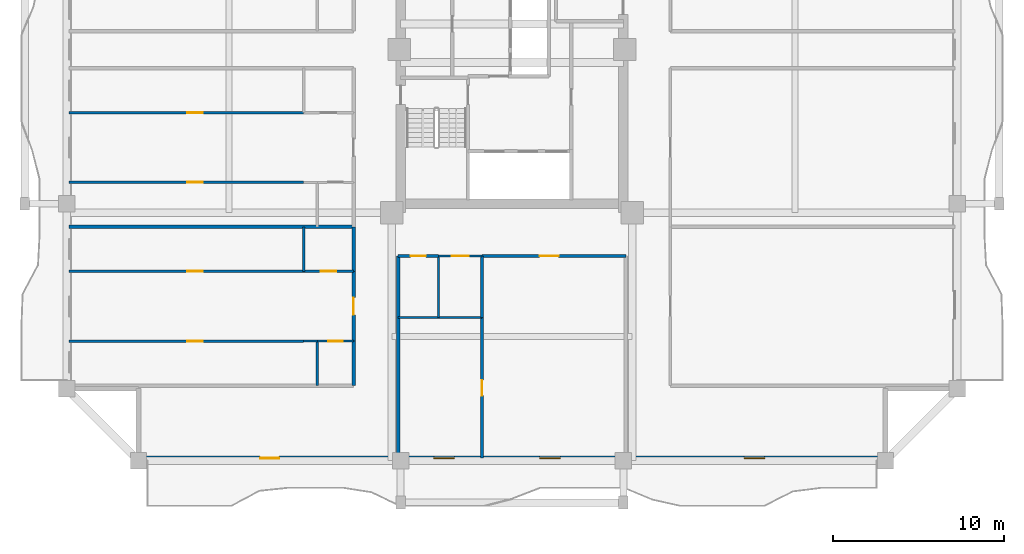
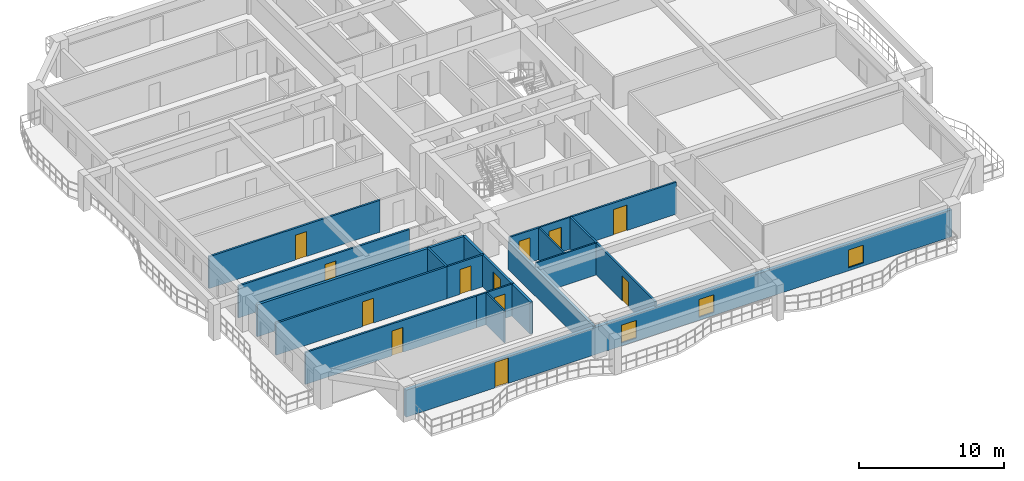
# One storey, part 2 of 11: 22 walls, 12 doors, 3 windows, 15 openings.
"""IFC4 building model written with IfcOpenShell, lengths in metres."""

import ifcopenshell
import ifcopenshell.guid

model = None  # the IFC model being written
_history = None  # IfcOwnerHistory: only IFC2X3 demands one
_inside = {}  # id of a spatial element -> (the spatial element, [elements in it])
_under = {}  # id of a project, library or spatial element -> (it, [spatial elements below it])
_declared = {}  # id of a project -> (the project, [libraries it declares])
_typed = {}  # id of a type object -> (the type object, [elements of that type])
_made_of = {}  # id of a material, layer set ... -> (it, [elements and type objects made of it])


def new_model(schema):
    """Start an empty IFC model of exactly this schema.

    Asked for "IFC4X3", IfcOpenShell would pick the latest addendum, in which some entities
    have other attributes; the version numbers below select the first issue.
    IFC2X3 requires an IfcOwnerHistory on every rooted entity: one is made here for all.
    """
    global model, _history
    if schema == "IFC4X3":
        model = ifcopenshell.file(schema_version=(4, 3, 0, 0))
    else:
        model = ifcopenshell.file(schema=schema)
    _inside.clear()
    _under.clear()
    _declared.clear()
    _typed.clear()
    _made_of.clear()
    _history = None
    if model.schema == "IFC2X3":
        org = make("IfcOrganization", Name="unknown")
        user = make(
            "IfcPersonAndOrganization",
            ThePerson=make("IfcPerson", FamilyName="unknown"),
            TheOrganization=org,
        )
        app = make(
            "IfcApplication",
            ApplicationDeveloper=org,
            Version="unknown",
            ApplicationFullName="unknown",
            ApplicationIdentifier="unknown",
        )
        _history = make(
            "IfcOwnerHistory",
            OwningUser=user,
            OwningApplication=app,
            ChangeAction="ADDED",
            CreationDate=0,
        )
    return model


def make(cls, **values):
    """One entity of the class cls with the attributes given. An attribute that is None is left unset."""
    return model.create_entity(
        cls, **{name: value for name, value in values.items() if value is not None}
    )


def rooted(cls, **values):
    """An entity with a GlobalId (a new one), such as an element, a storey or a relation."""
    return make(cls, GlobalId=ifcopenshell.guid.new(), OwnerHistory=_history, **values)


def si_unit(unit_type, name, prefix=None):
    """IfcSIUnit, for example si_unit("LENGTHUNIT", "METRE", prefix="MILLI")."""
    return make("IfcSIUnit", UnitType=unit_type, Prefix=prefix, Name=name)


def assignment(units):
    """IfcUnitAssignment: the units of a project."""
    return None if units is None else make("IfcUnitAssignment", Units=units)


def point(xyz):
    """IfcCartesianPoint."""
    return None if xyz is None else make("IfcCartesianPoint", Coordinates=xyz)


def direction(xyz):
    """IfcDirection."""
    return None if xyz is None else make("IfcDirection", DirectionRatios=xyz)


def frame(location, z_axis=None, x_axis=None):
    """IfcAxis2Placement3D, a coordinate frame: its origin and axes. An axis left out is left unset."""
    return make(
        "IfcAxis2Placement3D",
        Location=point(location),
        Axis=direction(z_axis),
        RefDirection=direction(x_axis),
    )


def frame_2d(location, x_axis=None):
    """IfcAxis2Placement2D, a coordinate frame in the plane: its origin and x axis."""
    return make(
        "IfcAxis2Placement2D", Location=point(location), RefDirection=direction(x_axis)
    )


def origin():
    """The frame at (0, 0, 0) with its axes left unset."""
    return frame((0.0, 0.0, 0.0))


def place(relative_to, where):
    """IfcLocalPlacement: puts the frame where relative to a parent placement (None: the world)."""
    return make(
        "IfcLocalPlacement", PlacementRelTo=relative_to, RelativePlacement=where
    )


def context(
    kind, dimensions, precision=None, world=None, true_north=None, identifier=None
):
    """IfcGeometricRepresentationContext, for example the 3D "Model" context."""
    return make(
        "IfcGeometricRepresentationContext",
        ContextIdentifier=identifier,
        ContextType=kind,
        CoordinateSpaceDimension=dimensions,
        Precision=precision,
        WorldCoordinateSystem=world,
        TrueNorth=true_north,
    )


def subcontext(parent, identifier, kind, view, scale=None):
    """IfcGeometricRepresentationSubContext, for example "Body" below "Model"."""
    return make(
        "IfcGeometricRepresentationSubContext",
        ContextIdentifier=identifier,
        ContextType=kind,
        ParentContext=parent,
        TargetScale=scale,
        TargetView=view,
    )


def project(units=None, contexts=None):
    """IfcProject with its units and contexts."""
    return rooted(
        "IfcProject",
        Name="project",
        RepresentationContexts=contexts,
        UnitsInContext=assignment(units),
    )


def spatial(cls, under=None, at=None, **own):
    """A site, building, storey or space (cls), placed at a placement, below another one or the project."""
    s = rooted(cls, ObjectPlacement=at, **own)
    if under is not None:
        _under.setdefault(under.id(), (under, []))[1].append(s)
    return s


def profile(cls, at=None, kind="AREA", **sizes):
    """A parametric profile (cls). Its sizes go by their IFC names, for example OverallWidth=200.0."""
    return make(cls, ProfileType=kind, Position=at, **sizes)


def rectangle(**sizes):
    """IfcRectangleProfileDef."""
    return profile("IfcRectangleProfileDef", **sizes)


def extrude(swept, where, along, depth):
    """IfcExtrudedAreaSolid: the profile swept, set in the frame where, extruded along a direction by depth."""
    return make(
        "IfcExtrudedAreaSolid",
        SweptArea=swept,
        Position=where,
        ExtrudedDirection=direction(along),
        Depth=depth,
    )


def shape(context_of_items, identifier, shape_type, items):
    """IfcShapeRepresentation: the items that make up one representation, for example the "Body"."""
    return make(
        "IfcShapeRepresentation",
        ContextOfItems=context_of_items,
        RepresentationIdentifier=identifier,
        RepresentationType=shape_type,
        Items=items,
    )


def source(mapping_origin, context_of_items, identifier, shape_type, items):
    """IfcRepresentationMap: a shape defined once, which mapped items show again and again."""
    return make(
        "IfcRepresentationMap",
        MappingOrigin=mapping_origin,
        MappedRepresentation=shape(context_of_items, identifier, shape_type, items),
    )


def transform(
    local_origin,
    x_axis=None,
    y_axis=None,
    z_axis=None,
    scale=None,
    scale2=None,
    scale3=None,
    uniform=True,
):
    """IfcCartesianTransformationOperator3D, or its non-uniform kind. x_axis, y_axis, z_axis: its Axis1, 2, 3."""
    if uniform:
        return make(
            "IfcCartesianTransformationOperator3D",
            Axis1=direction(x_axis),
            Axis2=direction(y_axis),
            LocalOrigin=point(local_origin),
            Scale=scale,
            Axis3=direction(z_axis),
        )
    return make(
        "IfcCartesianTransformationOperator3DnonUniform",
        Axis1=direction(x_axis),
        Axis2=direction(y_axis),
        LocalOrigin=point(local_origin),
        Scale=scale,
        Axis3=direction(z_axis),
        Scale2=scale2,
        Scale3=scale3,
    )


def mapped(mapping_source, mapping_target):
    """IfcMappedItem: shows the shape of a source again, moved by a transform."""
    return make(
        "IfcMappedItem", MappingSource=mapping_source, MappingTarget=mapping_target
    )


def material(Name=None, Category=None):
    """IfcMaterial."""
    return make("IfcMaterial", Name=Name, Category=Category)


def layer(
    of_material, thickness, ventilated=None, Name=None, Category=None, Priority=None
):
    """IfcMaterialLayer: one layer of a wall or slab, of a material (None: an air gap)."""
    return make(
        "IfcMaterialLayer",
        Material=of_material,
        LayerThickness=thickness,
        IsVentilated=ventilated,
        Name=Name,
        Category=Category,
        Priority=Priority,
    )


def layer_set(layers, Name=None):
    """IfcMaterialLayerSet."""
    return make("IfcMaterialLayerSet", MaterialLayers=layers, LayerSetName=Name)


def made_of(thing, what):
    """Note that an element or type object is made of a material, layer set ...; save() writes the relation."""
    if what is not None:
        _made_of.setdefault(what.id(), (what, []))[1].append(thing)
    return thing


def type_object(cls, material=None, **own):
    """A type object (cls), such as IfcWallType, which elements share."""
    return made_of(rooted(cls, **own), material)


def element(
    cls,
    number,
    at=None,
    inside=None,
    cuts=None,
    type_object=None,
    material=None,
    context=None,
    identifier="Body",
    shape_type=None,
    held_by="IfcProductDefinitionShape",
    body=None,
    shapes=None,
    **own,
):
    """One element of the class cls, such as IfcWall. Its Tag is "e" and its number.

    at: its placement. inside: the storey or other place that contains it. cuts: it is an
    opening in that element (IfcRelVoidsElement). A single representation is given by context,
    identifier, shape_type and body (its items); several are given by shapes. held_by: the class
    of the entity that holds the representations. save() writes the other relations.
    """
    e = rooted(cls, Tag="e%d" % number, ObjectPlacement=at, **own)
    if body is not None:
        shapes = [shape(context, identifier, shape_type, body)]
    if shapes is not None:
        e.Representation = make(held_by, Representations=shapes)
    if inside is not None:
        _inside.setdefault(inside.id(), (inside, []))[1].append(e)
    if cuts is not None:
        rooted(
            "IfcRelVoidsElement", RelatingBuildingElement=cuts, RelatedOpeningElement=e
        )
    if type_object is not None:
        _typed.setdefault(type_object.id(), (type_object, []))[1].append(e)
    return made_of(e, material)


def fill(opening, filler):
    """IfcRelFillsElement: the door or window that sits in an opening."""
    return rooted(
        "IfcRelFillsElement",
        RelatingOpeningElement=opening,
        RelatedBuildingElement=filler,
    )


def aggregate(whole, parts):
    """IfcRelAggregates: a whole, such as a stair, and the parts it consists of."""
    return rooted("IfcRelAggregates", RelatingObject=whole, RelatedObjects=parts)


def save(model, path):
    """Write the relations noted so far, then the file.

    IfcRelAggregates (storeys below a building ...), IfcRelContainedInSpatialStructure (elements
    in a storey), IfcRelDefinesByType, IfcRelAssociatesMaterial and IfcRelDeclares: one each for
    every whole, place, type object, material and project.
    """
    for whole, parts in _under.values():
        aggregate(whole, parts)
    for where, things in _inside.values():
        rooted(
            "IfcRelContainedInSpatialStructure",
            RelatedElements=things,
            RelatingStructure=where,
        )
    for kind, things in _typed.values():
        rooted("IfcRelDefinesByType", RelatedObjects=things, RelatingType=kind)
    for what, things in _made_of.values():
        rooted("IfcRelAssociatesMaterial", RelatedObjects=things, RelatingMaterial=what)
    for by, libraries in _declared.values():
        rooted("IfcRelDeclares", RelatingContext=by, RelatedDefinitions=libraries)
    model.write(path)


model = new_model("IFC4")

# Units and contexts
model_context = context("Model", 3, precision=1e-05, world=origin(), true_north=direction((0.0, 1.0)))
body_context = subcontext(model_context, "Body", "Model", "MODEL_VIEW")
ifc_project = project(units=[si_unit("LENGTHUNIT", "METRE"), si_unit("AREAUNIT", "SQUARE_METRE"), si_unit("VOLUMEUNIT", "CUBIC_METRE"), si_unit("PLANEANGLEUNIT", "RADIAN"), si_unit("MASSUNIT", "GRAM", prefix="KILO")], contexts=[model_context])

# Site, building, storey
site_placement = place(None, origin())
site = spatial("IfcSite", under=ifc_project, at=site_placement, CompositionType="ELEMENT")
building_placement = place(site_placement, origin())
building = spatial("IfcBuilding", under=site, at=building_placement, Name="Saelheon Loggia Tower", CompositionType="ELEMENT")
storey_placement = place(building_placement, frame((0.0, 0.0, 141.75)))
storey = spatial("IfcBuildingStorey", under=building, at=storey_placement, Name="L45", CompositionType="ELEMENT", Elevation=141.75)

# Wall, openings, windows, door
ifc_material_1 = material(Name="Architectural Precast Concrete C40/50", Category="concrete")
ifc_layer_1 = layer(ifc_material_1, 0.280029296875)
ifc_layer_set_1 = layer_set([ifc_layer_1], Name="Architectural Precast Concrete C40/50")
wall_type_1 = type_object("IfcWallType", Name="Wall_Ext_Loggia_280", PredefinedType="SOLIDWALL", material=ifc_layer_set_1)
wall_1_placement = place(storey_placement, frame((16.199951171875, 3.139892578125, 0.0), z_axis=(0.0, 0.0, 1.0), x_axis=(1.0, 0.0, 0.0)))
wall_1 = element("IfcWall", 1, at=wall_1_placement, inside=storey, type_object=wall_type_1, Name="L45 South Loggia Inner Wall", PredefinedType="SOLIDWALL", context=body_context, shape_type="SweptSolid", body=[
    extrude(rectangle(XDim=43.60009765625, YDim=0.280029296875, at=frame_2d((21.800048828125, 0.0))), origin(), (0.0, 0.0, 1.0), 2.280029296875),
])
opening_1_placement = place(wall_1_placement, frame((8.2001953125, 0.0, 0.0), z_axis=(0.0, 0.0, 1.0), x_axis=(-1.0, 0.0, 0.0)))
opening_1 = element("IfcOpeningElement", 2, at=opening_1_placement, cuts=wall_1, Name="Opening TD1", PredefinedType="OPENING", context=body_context, shape_type="SweptSolid", body=[
    extrude(rectangle(XDim=1.10009765625, YDim=2.14990234375, at=frame_2d((0.550048828125, 1.074951171875))), frame((0.0, 0.152099609375, 0.0), z_axis=(0.0, -1.0, 0.0), x_axis=(1.0, 0.0, 0.0)), (0.0, 0.0, 1.0), 0.303955078125),
])
opening_2_placement = place(wall_1_placement, frame((17.232421875, 0.0, 0.25)))
opening_2 = element("IfcOpeningElement", 3, at=opening_2_placement, cuts=wall_1, Name="Opening WN-03", PredefinedType="OPENING", context=body_context, shape_type="SweptSolid", body=[
    extrude(rectangle(XDim=1.199951171875, YDim=1.5, at=frame_2d((0.60009765625, 0.75))), frame((0.0, 0.152099609375, 0.0), z_axis=(0.0, -1.0, 0.0), x_axis=(1.0, 0.0, 0.0)), (0.0, 0.0, 1.0), 0.303955078125),
])
opening_3_placement = place(wall_1_placement, frame((23.41748046875, 0.0, 0.25)))
opening_3 = element("IfcOpeningElement", 4, at=opening_3_placement, cuts=wall_1, Name="Opening WN-03", PredefinedType="OPENING", context=body_context, shape_type="SweptSolid", body=[
    extrude(rectangle(XDim=1.199951171875, YDim=1.5, at=frame_2d((0.60009765625, 0.75))), frame((0.0, 0.152099609375, 0.0), z_axis=(0.0, -1.0, 0.0), x_axis=(1.0, 0.0, 0.0)), (0.0, 0.0, 1.0), 0.303955078125),
])
opening_4_placement = place(wall_1_placement, frame((35.35009765625, 0.0, 0.25)))
opening_4 = element("IfcOpeningElement", 5, at=opening_4_placement, cuts=wall_1, Name="Opening WN-03", PredefinedType="OPENING", context=body_context, shape_type="SweptSolid", body=[
    extrude(rectangle(XDim=1.199951171875, YDim=1.5, at=frame_2d((0.60009765625, 0.75))), frame((0.0, 0.152099609375, 0.0), z_axis=(0.0, -1.0, 0.0), x_axis=(1.0, 0.0, 0.0)), (0.0, 0.0, 1.0), 0.303955078125),
])
ifc_material_2 = material(Name="Thermal-Break Aluminium and Triple Low-E Glass", Category="aluminium")
window_type = type_object("IfcWindowType", Name="Win_Bedroom_1200x1500", PartitioningType="SINGLE_PANEL", PredefinedType="WINDOW", material=ifc_material_2)
shared_shape_1 = source(origin(), body_context, "Body", "SweptSolid", [
    extrude(rectangle(XDim=1.199951171875, YDim=1.5, at=frame_2d((0.60009765625, 0.75))), frame((0.0, 0.030029296875, 0.0), z_axis=(0.0, -1.0, 0.0), x_axis=(1.0, 0.0, 0.0)), (0.0, 0.0, 1.0), 0.06005859375),
])
window_1_placement = place(opening_2_placement, origin())
window_1 = element("IfcWindow", 6, at=window_1_placement, inside=storey, type_object=window_type, Name="L45 S Dwelling Window 2", OverallHeight=1.5, OverallWidth=1.199951171875, PartitioningType="SINGLE_PANEL", PredefinedType="WINDOW", context=body_context, shape_type="MappedRepresentation", body=[
    mapped(shared_shape_1, transform((0.0, 0.0, 0.0), scale=1.0)),
])
fill(opening_2, window_1)
window_2_placement = place(opening_3_placement, origin())
window_2 = element("IfcWindow", 7, at=window_2_placement, inside=storey, type_object=window_type, Name="L45 S Dwelling Window 3", OverallHeight=1.5, OverallWidth=1.199951171875, PartitioningType="SINGLE_PANEL", PredefinedType="WINDOW", context=body_context, shape_type="MappedRepresentation", body=[
    mapped(shared_shape_1, transform((0.0, 0.0, 0.0), scale=1.0)),
])
fill(opening_3, window_2)
window_3_placement = place(opening_4_placement, origin())
window_3 = element("IfcWindow", 8, at=window_3_placement, inside=storey, type_object=window_type, Name="L45 S Dwelling Window 4", OverallHeight=1.5, OverallWidth=1.199951171875, PartitioningType="SINGLE_PANEL", PredefinedType="WINDOW", context=body_context, shape_type="MappedRepresentation", body=[
    mapped(shared_shape_1, transform((0.0, 0.0, 0.0), scale=1.0)),
])
fill(opening_4, window_3)
ifc_material_3 = material(Name="Thermal-Break Aluminium Glazed Door", Category="aluminium")
door_type_1 = type_object("IfcDoorType", Name="Door_Terrace_TD1", OperationType="NOTDEFINED", PredefinedType="DOOR", material=ifc_material_3)
shared_shape_2 = source(origin(), body_context, "Body", "SweptSolid", [
    extrude(rectangle(XDim=1.10009765625, YDim=2.14990234375, at=frame_2d((0.550048828125, 1.074951171875))), frame((0.0, 0.02490234375, 0.0), z_axis=(0.0, -1.0, 0.0), x_axis=(1.0, 0.0, 0.0)), (0.0, 0.0, 1.0), 0.050048828125),
])
door_1_placement = place(opening_1_placement, origin())
door_1 = element("IfcDoor", 9, at=door_1_placement, inside=storey, type_object=door_type_1, Name="L45 S Loggia Access Door", OperationType="SINGLE_SWING_LEFT", OverallHeight=2.14990234375, OverallWidth=1.10009765625, PredefinedType="DOOR", context=body_context, shape_type="MappedRepresentation", body=[
    mapped(shared_shape_2, transform((0.0, 0.0, 0.0), scale=1.0)),
])
fill(opening_1, door_1)

# Wall
ifc_material_4 = material(Name="Lightweight Autoclaved Aerated Concrete Block and Acoustic Gypsum", Category="concrete")
ifc_layer_2 = layer(ifc_material_4, 0.14990234375)
ifc_layer_set_2 = layer_set([ifc_layer_2], Name="Lightweight Autoclaved Aerated Concrete Block and Acoustic Gypsum")
wall_type_2 = type_object("IfcWallType", Name="Wall_Part_150", PredefinedType="PARTITIONING", material=ifc_layer_set_2)
wall_2_placement = place(storey_placement, frame((36.25, 14.949951171875, 0.0), z_axis=(0.0, 0.0, 1.0), x_axis=(0.0, -1.0, 0.0)))
element("IfcWall", 10, at=wall_2_placement, inside=storey, type_object=wall_type_2, Name="L45 S Partition U04", PredefinedType="PARTITIONING", context=body_context, shape_type="SweptSolid", body=[
    extrude(rectangle(XDim=3.599853515625, YDim=0.14990234375, at=frame_2d((1.7998046875, 0.0))), origin(), (0.0, 0.0, 1.0), 2.699951171875),
])

# Wall, opening, door
wall_3_placement = place(storey_placement, frame((36.25, 11.35009765625, 0.0), z_axis=(0.0, 0.0, 1.0), x_axis=(0.0, -1.0, 0.0)))
wall_3 = element("IfcWall", 11, at=wall_3_placement, inside=storey, type_object=wall_type_2, Name="L45 S Partition U05", PredefinedType="PARTITIONING", context=body_context, shape_type="SweptSolid", body=[
    extrude(rectangle(XDim=8.2001953125, YDim=0.14990234375, at=frame_2d((4.10009765625, 0.0))), origin(), (0.0, 0.0, 1.0), 2.699951171875),
])
opening_5_placement = place(wall_3_placement, frame((3.64990234375, 0.0, 0.0)))
opening_5 = element("IfcOpeningElement", 12, at=opening_5_placement, cuts=wall_3, Name="Opening D-IN2", PredefinedType="OPENING", context=body_context, shape_type="SweptSolid", body=[
    extrude(rectangle(XDim=0.89990234375, YDim=2.10009765625, at=frame_2d((0.449951171875, 1.050048828125))), frame((0.0, 0.0869140625, 0.0), z_axis=(0.0, -1.0, 0.0), x_axis=(1.0, 0.0, 0.0)), (0.0, 0.0, 1.0), 0.173828125),
])
ifc_material_5 = material(Name="Engineered Oak Flush Door", Category="timber")
door_type_2 = type_object("IfcDoorType", Name="Door_Int_900", OperationType="NOTDEFINED", PredefinedType="DOOR", material=ifc_material_5)
shared_shape_3 = source(origin(), body_context, "Body", "SweptSolid", [
    extrude(rectangle(XDim=0.89990234375, YDim=2.10009765625, at=frame_2d((0.449951171875, 1.050048828125))), frame((0.0, 0.02490234375, 0.0), z_axis=(0.0, -1.0, 0.0), x_axis=(1.0, 0.0, 0.0)), (0.0, 0.0, 1.0), 0.050048828125),
])
door_2_placement = place(opening_5_placement, origin())
door_2 = element("IfcDoor", 13, at=door_2_placement, inside=storey, type_object=door_type_2, Name="L45 Reading Alcove Door", OperationType="SINGLE_SWING_LEFT", OverallHeight=2.10009765625, OverallWidth=0.89990234375, PredefinedType="DOOR", context=body_context, shape_type="MappedRepresentation", body=[
    mapped(shared_shape_3, transform((0.0, 0.0, 0.0), scale=1.0)),
])
fill(opening_5, door_2)

wall_4_placement = place(storey_placement, frame((31.35009765625, 14.949951171875, 0.0), z_axis=(0.0, 0.0, 1.0), x_axis=(1.0, 0.0, 0.0)))
wall_4 = element("IfcWall", 14, at=wall_4_placement, inside=storey, type_object=wall_type_2, Name="L45 S Partition V07", PredefinedType="PARTITIONING", context=body_context, shape_type="SweptSolid", body=[
    extrude(rectangle(XDim=2.349853515625, YDim=0.14990234375, at=frame_2d((1.1748046875, 0.0))), origin(), (0.0, 0.0, 1.0), 2.699951171875),
])
opening_6_placement = place(wall_4_placement, frame((0.72509765625, 0.0, 0.0)))
opening_6 = element("IfcOpeningElement", 15, at=opening_6_placement, cuts=wall_4, Name="Opening D-IN2", PredefinedType="OPENING", context=body_context, shape_type="SweptSolid", body=[
    extrude(rectangle(XDim=0.89990234375, YDim=2.10009765625, at=frame_2d((0.449951171875, 1.050048828125))), frame((0.0, 0.0869140625, 0.0), z_axis=(0.0, -1.0, 0.0), x_axis=(1.0, 0.0, 0.0)), (0.0, 0.0, 1.0), 0.173828125),
])
door_3_placement = place(opening_6_placement, origin())
door_3 = element("IfcDoor", 16, at=door_3_placement, inside=storey, type_object=door_type_2, Name="L45 Community Pantry Door", OperationType="SINGLE_SWING_RIGHT", OverallHeight=2.10009765625, OverallWidth=0.89990234375, PredefinedType="DOOR", context=body_context, shape_type="MappedRepresentation", body=[
    mapped(shared_shape_3, transform((0.0, 0.0, 0.0), scale=1.0)),
])
fill(opening_6, door_3)

wall_5_placement = place(storey_placement, frame((36.25, 14.949951171875, 0.0), z_axis=(0.0, 0.0, 1.0), x_axis=(1.0, 0.0, 0.0)))
wall_5 = element("IfcWall", 17, at=wall_5_placement, inside=storey, type_object=wall_type_2, Name="L45 S Partition V09", PredefinedType="PARTITIONING", context=body_context, shape_type="SweptSolid", body=[
    extrude(rectangle(XDim=8.39990234375, YDim=0.14990234375, at=frame_2d((4.199951171875, 0.0))), origin(), (0.0, 0.0, 1.0), 2.699951171875),
])
opening_7_placement = place(wall_5_placement, frame((3.367431640625, 0.0, 0.0)))
opening_7 = element("IfcOpeningElement", 18, at=opening_7_placement, cuts=wall_5, Name="Opening D-FD2", PredefinedType="OPENING", context=body_context, shape_type="SweptSolid", body=[
    extrude(rectangle(XDim=1.10009765625, YDim=2.14990234375, at=frame_2d((0.550048828125, 1.074951171875))), frame((0.0, 0.0869140625, 0.0), z_axis=(0.0, -1.0, 0.0), x_axis=(1.0, 0.0, 0.0)), (0.0, 0.0, 1.0), 0.173828125),
])
ifc_material_6 = material(Name="Galvanised Steel Fire Door", Category="steel")
door_type_3 = type_object("IfcDoorType", Name="Door_Fire_FD60_1100", OperationType="NOTDEFINED", PredefinedType="DOOR", material=ifc_material_6)
door_4_placement = place(opening_7_placement, origin())
door_4 = element("IfcDoor", 19, at=door_4_placement, inside=storey, type_object=door_type_3, Name="L45 Resident Fitness Gymnasium Door A", OperationType="SINGLE_SWING_RIGHT", OverallHeight=2.14990234375, OverallWidth=1.10009765625, PredefinedType="DOOR", context=body_context, shape_type="MappedRepresentation", body=[
    mapped(shared_shape_2, transform((0.0, 0.0, 0.0), scale=1.0)),
])
fill(opening_7, door_4)

# Wall
wall_6_placement = place(storey_placement, frame((25.830078125, 14.050048828125, 0.0), z_axis=(0.0, 0.0, 1.0), x_axis=(0.0, 1.0, 0.0)))
element("IfcWall", 20, at=wall_6_placement, inside=storey, type_object=wall_type_2, Name="L45 WS Partition V07", PredefinedType="PARTITIONING", context=body_context, shape_type="SweptSolid", body=[
    extrude(rectangle(XDim=2.599853515625, YDim=0.14990234375, at=frame_2d((1.2998046875, 0.0))), origin(), (0.0, 0.0, 1.0), 2.699951171875),
])

# Wall, opening, door
wall_7_placement = place(storey_placement, frame((25.830078125, 9.9755859375, 0.0), z_axis=(0.0, 0.0, 1.0), x_axis=(-1.0, 0.0, 0.0)))
wall_7 = element("IfcWall", 21, at=wall_7_placement, inside=storey, type_object=wall_type_2, Name="L45 WS Partition U10", PredefinedType="PARTITIONING", context=body_context, shape_type="SweptSolid", body=[
    extrude(rectangle(XDim=13.68017578125, YDim=0.14990234375, at=frame_2d((6.840087890625, 0.0))), origin(), (0.0, 0.0, 1.0), 2.699951171875),
])
opening_8_placement = place(wall_7_placement, frame((5.87744140625, 0.0, 0.0)))
opening_8 = element("IfcOpeningElement", 22, at=opening_8_placement, cuts=wall_7, Name="Opening D-IN2", PredefinedType="OPENING", context=body_context, shape_type="SweptSolid", body=[
    extrude(rectangle(XDim=0.89990234375, YDim=2.10009765625, at=frame_2d((0.449951171875, 1.050048828125))), frame((0.0, 0.0869140625, 0.0), z_axis=(0.0, -1.0, 0.0), x_axis=(1.0, 0.0, 0.0)), (0.0, 0.0, 1.0), 0.173828125),
])
door_5_placement = place(opening_8_placement, origin())
door_5 = element("IfcDoor", 23, at=door_5_placement, inside=storey, type_object=door_type_2, Name="Unit U02 Kitchen Door", OperationType="SINGLE_SWING_RIGHT", OverallHeight=2.10009765625, OverallWidth=0.89990234375, PredefinedType="DOOR", context=body_context, shape_type="MappedRepresentation", body=[
    mapped(shared_shape_3, transform((0.0, 0.0, 0.0), scale=1.0)),
])
fill(opening_8, door_5)

wall_8_placement = place(storey_placement, frame((28.75, 14.050048828125, 0.0), z_axis=(0.0, 0.0, 1.0), x_axis=(-1.0, 0.0, 0.0)))
wall_8 = element("IfcWall", 24, at=wall_8_placement, inside=storey, type_object=wall_type_2, Name="L45 WS Partition U11", PredefinedType="PARTITIONING", context=body_context, shape_type="SweptSolid", body=[
    extrude(rectangle(XDim=2.919921875, YDim=0.14990234375, at=frame_2d((1.4599609375, 0.0))), origin(), (0.0, 0.0, 1.0), 2.699951171875),
])
opening_9_placement = place(wall_8_placement, frame((1.010009765625, 0.0, 0.0)))
opening_9 = element("IfcOpeningElement", 25, at=opening_9_placement, cuts=wall_8, Name="Opening D-IN2", PredefinedType="OPENING", context=body_context, shape_type="SweptSolid", body=[
    extrude(rectangle(XDim=0.89990234375, YDim=2.10009765625, at=frame_2d((0.449951171875, 1.050048828125))), frame((0.0, 0.0869140625, 0.0), z_axis=(0.0, -1.0, 0.0), x_axis=(1.0, 0.0, 0.0)), (0.0, 0.0, 1.0), 0.173828125),
])
door_6_placement = place(opening_9_placement, origin())
door_6 = element("IfcDoor", 26, at=door_6_placement, inside=storey, type_object=door_type_2, Name="Unit U02 Dressing Closet Door", OperationType="SINGLE_SWING_LEFT", OverallHeight=2.10009765625, OverallWidth=0.89990234375, PredefinedType="DOOR", context=body_context, shape_type="MappedRepresentation", body=[
    mapped(shared_shape_3, transform((0.0, 0.0, 0.0), scale=1.0)),
])
fill(opening_9, door_6)

wall_9_placement = place(storey_placement, frame((25.830078125, 14.050048828125, 0.0), z_axis=(0.0, 0.0, 1.0), x_axis=(-1.0, 0.0, 0.0)))
wall_9 = element("IfcWall", 27, at=wall_9_placement, inside=storey, type_object=wall_type_2, Name="L45 WS Partition U12", PredefinedType="PARTITIONING", context=body_context, shape_type="SweptSolid", body=[
    extrude(rectangle(XDim=13.68017578125, YDim=0.14990234375, at=frame_2d((6.840087890625, 0.0))), origin(), (0.0, 0.0, 1.0), 2.699951171875),
])
opening_10_placement = place(wall_9_placement, frame((5.87744140625, 0.0, 0.0)))
opening_10 = element("IfcOpeningElement", 28, at=opening_10_placement, cuts=wall_9, Name="Opening D-IN2", PredefinedType="OPENING", context=body_context, shape_type="SweptSolid", body=[
    extrude(rectangle(XDim=0.89990234375, YDim=2.10009765625, at=frame_2d((0.449951171875, 1.050048828125))), frame((0.0, 0.0869140625, 0.0), z_axis=(0.0, -1.0, 0.0), x_axis=(1.0, 0.0, 0.0)), (0.0, 0.0, 1.0), 0.173828125),
])
door_7_placement = place(opening_10_placement, origin())
door_7 = element("IfcDoor", 29, at=door_7_placement, inside=storey, type_object=door_type_2, Name="Unit U02 Bedroom 1 Door", OperationType="SINGLE_SWING_RIGHT", OverallHeight=2.10009765625, OverallWidth=0.89990234375, PredefinedType="DOOR", context=body_context, shape_type="MappedRepresentation", body=[
    mapped(shared_shape_3, transform((0.0, 0.0, 0.0), scale=1.0)),
])
fill(opening_10, door_7)

wall_10_placement = place(storey_placement, frame((25.830078125, 19.24560546875, 0.0), z_axis=(0.0, 0.0, 1.0), x_axis=(-1.0, 0.0, 0.0)))
wall_10 = element("IfcWall", 30, at=wall_10_placement, inside=storey, type_object=wall_type_2, Name="L45 WS Partition U21", PredefinedType="PARTITIONING", context=body_context, shape_type="SweptSolid", body=[
    extrude(rectangle(XDim=13.68017578125, YDim=0.14990234375, at=frame_2d((6.840087890625, 0.0))), origin(), (0.0, 0.0, 1.0), 2.699951171875),
])
opening_11_placement = place(wall_10_placement, frame((5.87744140625, 0.0, 0.0)))
opening_11 = element("IfcOpeningElement", 31, at=opening_11_placement, cuts=wall_10, Name="Opening D-IN2", PredefinedType="OPENING", context=body_context, shape_type="SweptSolid", body=[
    extrude(rectangle(XDim=0.89990234375, YDim=2.10009765625, at=frame_2d((0.449951171875, 1.050048828125))), frame((0.0, 0.0869140625, 0.0), z_axis=(0.0, -1.0, 0.0), x_axis=(1.0, 0.0, 0.0)), (0.0, 0.0, 1.0), 0.173828125),
])
door_8_placement = place(opening_11_placement, origin())
door_8 = element("IfcDoor", 32, at=door_8_placement, inside=storey, type_object=door_type_2, Name="Unit U03 Kitchen Door", OperationType="SINGLE_SWING_LEFT", OverallHeight=2.10009765625, OverallWidth=0.89990234375, PredefinedType="DOOR", context=body_context, shape_type="MappedRepresentation", body=[
    mapped(shared_shape_3, transform((0.0, 0.0, 0.0), scale=1.0)),
])
fill(opening_11, door_8)

wall_11_placement = place(storey_placement, frame((25.830078125, 23.320068359375, 0.0), z_axis=(0.0, 0.0, 1.0), x_axis=(-1.0, 0.0, 0.0)))
wall_11 = element("IfcWall", 33, at=wall_11_placement, inside=storey, type_object=wall_type_2, Name="L45 WS Partition U23", PredefinedType="PARTITIONING", context=body_context, shape_type="SweptSolid", body=[
    extrude(rectangle(XDim=13.68017578125, YDim=0.14990234375, at=frame_2d((6.840087890625, 0.0))), origin(), (0.0, 0.0, 1.0), 2.699951171875),
])
opening_12_placement = place(wall_11_placement, frame((5.87744140625, 0.0, 0.0)))
opening_12 = element("IfcOpeningElement", 34, at=opening_12_placement, cuts=wall_11, Name="Opening D-IN2", PredefinedType="OPENING", context=body_context, shape_type="SweptSolid", body=[
    extrude(rectangle(XDim=0.89990234375, YDim=2.10009765625, at=frame_2d((0.449951171875, 1.050048828125))), frame((0.0, 0.0869140625, 0.0), z_axis=(0.0, -1.0, 0.0), x_axis=(1.0, 0.0, 0.0)), (0.0, 0.0, 1.0), 0.173828125),
])
door_9_placement = place(opening_12_placement, origin())
door_9 = element("IfcDoor", 35, at=door_9_placement, inside=storey, type_object=door_type_2, Name="Unit U03 Bedroom 1 Door", OperationType="SINGLE_SWING_LEFT", OverallHeight=2.10009765625, OverallWidth=0.89990234375, PredefinedType="DOOR", context=body_context, shape_type="MappedRepresentation", body=[
    mapped(shared_shape_3, transform((0.0, 0.0, 0.0), scale=1.0)),
])
fill(opening_12, door_9)

# Walls
ifc_material_7 = material(Name="Double Acoustic Stud and Fireboard Partition", Category="gypsum")
ifc_layer_3 = layer(ifc_material_7, 0.199951171875)
ifc_layer_set_3 = layer_set([ifc_layer_3], Name="Double Acoustic Stud and Fireboard Partition")
wall_type_3 = type_object("IfcWallType", Name="Wall_Party_200", PredefinedType="PARTITIONING", material=ifc_layer_set_3)
wall_12_placement = place(storey_placement, frame((31.35009765625, 14.949951171875, 0.0), z_axis=(0.0, 0.0, 1.0), x_axis=(0.0, -1.0, 0.0)))
element("IfcWall", 36, at=wall_12_placement, inside=storey, type_object=wall_type_3, Name="L45 S Partition U01", PredefinedType="PARTITIONING", context=body_context, shape_type="SweptSolid", body=[
    extrude(rectangle(XDim=11.800048828125, YDim=0.199951171875, at=frame_2d((5.89990234375, 0.0))), origin(), (0.0, 0.0, 1.0), 2.340087890625),
])
wall_13_placement = place(storey_placement, frame((28.75, 7.3798828125, 0.0), z_axis=(0.0, 0.0, 1.0), x_axis=(0.0, 1.0, 0.0)))
element("IfcWall", 37, at=wall_13_placement, inside=storey, type_object=wall_type_3, Name="L45 WS Partition V03", PredefinedType="PARTITIONING", context=body_context, shape_type="SweptSolid", body=[
    extrude(rectangle(XDim=2.595703125, YDim=0.199951171875, at=frame_2d((1.2978515625, 0.0))), origin(), (0.0, 0.0, 1.0), 2.699951171875),
])

# Wall, opening, door
wall_14_placement = place(storey_placement, frame((28.75, 9.9755859375, 0.0), z_axis=(0.0, 0.0, 1.0), x_axis=(0.0, 1.0, 0.0)))
wall_14 = element("IfcWall", 38, at=wall_14_placement, inside=storey, type_object=wall_type_3, Name="L45 WS Partition V04", PredefinedType="PARTITIONING", context=body_context, shape_type="SweptSolid", body=[
    extrude(rectangle(XDim=4.074462890625, YDim=0.199951171875, at=frame_2d((2.037109375, 0.0))), origin(), (0.0, 0.0, 1.0), 2.699951171875),
])
opening_13_placement = place(wall_14_placement, frame((1.537109375, 0.0, 0.0)))
opening_13 = element("IfcOpeningElement", 39, at=opening_13_placement, cuts=wall_14, Name="Opening D-FD1", PredefinedType="OPENING", context=body_context, shape_type="SweptSolid", body=[
    extrude(rectangle(XDim=1.0, YDim=2.14990234375, at=frame_2d((0.5, 1.074951171875))), frame((0.0, 0.112060546875, 0.0), z_axis=(0.0, -1.0, 0.0), x_axis=(1.0, 0.0, 0.0)), (0.0, 0.0, 1.0), 0.223876953125),
])
ifc_material_8 = material(Name="Fire-Rated Engineered Timber Entrance Door", Category="wood")
door_type_4 = type_object("IfcDoorType", Name="Door_Flat_FD30S", OperationType="NOTDEFINED", PredefinedType="DOOR", material=ifc_material_8)
shared_shape_4 = source(origin(), body_context, "Body", "SweptSolid", [
    extrude(rectangle(XDim=1.0, YDim=2.14990234375, at=frame_2d((0.5, 1.074951171875))), frame((0.0, 0.02490234375, 0.0), z_axis=(0.0, -1.0, 0.0), x_axis=(1.0, 0.0, 0.0)), (0.0, 0.0, 1.0), 0.050048828125),
])
door_10_placement = place(opening_13_placement, origin())
door_10 = element("IfcDoor", 40, at=door_10_placement, inside=storey, type_object=door_type_4, Name="Unit U02 Entrance Door", OperationType="SINGLE_SWING_RIGHT", OverallHeight=2.14990234375, OverallWidth=1.0, PredefinedType="DOOR", context=body_context, shape_type="MappedRepresentation", body=[
    mapped(shared_shape_4, transform((0.0, 0.0, 0.0), scale=1.0)),
])
fill(opening_13, door_10)

# Walls
wall_15_placement = place(storey_placement, frame((28.75, 14.050048828125, 0.0), z_axis=(0.0, 0.0, 1.0), x_axis=(0.0, 1.0, 0.0)))
element("IfcWall", 41, at=wall_15_placement, inside=storey, type_object=wall_type_3, Name="L45 WS Partition V05", PredefinedType="PARTITIONING", context=body_context, shape_type="SweptSolid", body=[
    extrude(rectangle(XDim=2.599853515625, YDim=0.199951171875, at=frame_2d((1.2998046875, 0.0))), origin(), (0.0, 0.0, 1.0), 2.699951171875),
])
wall_16_placement = place(storey_placement, frame((28.75, 16.64990234375, 0.0), z_axis=(0.0, 0.0, 1.0), x_axis=(-1.0, 0.0, 0.0)))
element("IfcWall", 42, at=wall_16_placement, inside=storey, type_object=wall_type_3, Name="L45 WS Partition U13", PredefinedType="PARTITIONING", context=body_context, shape_type="SweptSolid", body=[
    extrude(rectangle(XDim=16.60009765625, YDim=0.199951171875, at=frame_2d((8.300048828125, 0.0))), origin(), (0.0, 0.0, 1.0), 2.699951171875),
])
ifc_material_9 = material(Name="Moisture-Resistant Cement Board Partition", Category="gypsum")
ifc_layer_4 = layer(ifc_material_9, 0.1201171875)
ifc_layer_set_4 = layer_set([ifc_layer_4], Name="Moisture-Resistant Cement Board Partition")
wall_type_4 = type_object("IfcWallType", Name="Wall_WetPart_120", PredefinedType="PARTITIONING", material=ifc_layer_set_4)
wall_17_placement = place(storey_placement, frame((33.699951171875, 14.949951171875, 0.0), z_axis=(0.0, 0.0, 1.0), x_axis=(0.0, -1.0, 0.0)))
element("IfcWall", 43, at=wall_17_placement, inside=storey, type_object=wall_type_4, Name="L45 S Partition U03", PredefinedType="PARTITIONING", context=body_context, shape_type="SweptSolid", body=[
    extrude(rectangle(XDim=3.599853515625, YDim=0.1201171875, at=frame_2d((1.7998046875, 0.0))), origin(), (0.0, 0.0, 1.0), 2.699951171875),
])
wall_18_placement = place(storey_placement, frame((31.35009765625, 11.35009765625, 0.0), z_axis=(0.0, 0.0, 1.0), x_axis=(1.0, 0.0, 0.0)))
element("IfcWall", 44, at=wall_18_placement, inside=storey, type_object=wall_type_4, Name="L45 S Partition V06", PredefinedType="PARTITIONING", context=body_context, shape_type="SweptSolid", body=[
    extrude(rectangle(XDim=4.89990234375, YDim=0.1201171875, at=frame_2d((2.449951171875, 0.0))), origin(), (0.0, 0.0, 1.0), 2.699951171875),
])

# Wall, opening, door
wall_19_placement = place(storey_placement, frame((33.699951171875, 14.949951171875, 0.0), z_axis=(0.0, 0.0, 1.0), x_axis=(1.0, 0.0, 0.0)))
wall_19 = element("IfcWall", 45, at=wall_19_placement, inside=storey, type_object=wall_type_4, Name="L45 S Partition V08", PredefinedType="PARTITIONING", context=body_context, shape_type="SweptSolid", body=[
    extrude(rectangle(XDim=2.550048828125, YDim=0.1201171875, at=frame_2d((1.27490234375, 0.0))), origin(), (0.0, 0.0, 1.0), 2.699951171875),
])
opening_14_placement = place(wall_19_placement, frame((0.77490234375, 0.0, 0.0)))
opening_14 = element("IfcOpeningElement", 46, at=opening_14_placement, cuts=wall_19, Name="Opening D-AC1", PredefinedType="OPENING", context=body_context, shape_type="SweptSolid", body=[
    extrude(rectangle(XDim=1.0, YDim=2.10009765625, at=frame_2d((0.5, 1.050048828125))), frame((0.0, 0.072021484375, 0.0), z_axis=(0.0, -1.0, 0.0), x_axis=(1.0, 0.0, 0.0)), (0.0, 0.0, 1.0), 0.14404296875),
])
ifc_material_10 = material(Name="Accessible Laminate Flush Door", Category="timber")
door_type_5 = type_object("IfcDoorType", Name="Door_Acc_1000", OperationType="NOTDEFINED", PredefinedType="DOOR", material=ifc_material_10)
shared_shape_5 = source(origin(), body_context, "Body", "SweptSolid", [
    extrude(rectangle(XDim=1.0, YDim=2.10009765625, at=frame_2d((0.5, 1.050048828125))), frame((0.0, 0.02490234375, 0.0), z_axis=(0.0, -1.0, 0.0), x_axis=(1.0, 0.0, 0.0)), (0.0, 0.0, 1.0), 0.050048828125),
])
door_11_placement = place(opening_14_placement, origin())
door_11 = element("IfcDoor", 47, at=door_11_placement, inside=storey, type_object=door_type_5, Name="L45 Common Washroom Door", OperationType="SINGLE_SWING_LEFT", OverallHeight=2.10009765625, OverallWidth=1.0, PredefinedType="DOOR", context=body_context, shape_type="MappedRepresentation", body=[
    mapped(shared_shape_5, transform((0.0, 0.0, 0.0), scale=1.0)),
])
fill(opening_14, door_11)

# Wall
wall_20_placement = place(storey_placement, frame((26.6298828125, 7.3798828125, 0.0), z_axis=(0.0, 0.0, 1.0), x_axis=(0.0, 1.0, 0.0)))
element("IfcWall", 48, at=wall_20_placement, inside=storey, type_object=wall_type_4, Name="L45 WS Partition V06", PredefinedType="PARTITIONING", context=body_context, shape_type="SweptSolid", body=[
    extrude(rectangle(XDim=2.595703125, YDim=0.1201171875, at=frame_2d((1.2978515625, 0.0))), origin(), (0.0, 0.0, 1.0), 2.699951171875),
])

# Wall, opening, door
wall_21_placement = place(storey_placement, frame((28.75, 9.9755859375, 0.0), z_axis=(0.0, 0.0, 1.0), x_axis=(-1.0, 0.0, 0.0)))
wall_21 = element("IfcWall", 49, at=wall_21_placement, inside=storey, type_object=wall_type_4, Name="L45 WS Partition U08", PredefinedType="PARTITIONING", context=body_context, shape_type="SweptSolid", body=[
    extrude(rectangle(XDim=2.1201171875, YDim=0.1201171875, at=frame_2d((1.06005859375, 0.0))), origin(), (0.0, 0.0, 1.0), 2.699951171875),
])
opening_15_placement = place(wall_21_placement, frame((0.635009765625, 0.0, 0.0)))
opening_15 = element("IfcOpeningElement", 50, at=opening_15_placement, cuts=wall_21, Name="Opening D-BT1", PredefinedType="OPENING", context=body_context, shape_type="SweptSolid", body=[
    extrude(rectangle(XDim=0.85009765625, YDim=2.050048828125, at=frame_2d((0.425048828125, 1.02490234375))), frame((0.0, 0.072021484375, 0.0), z_axis=(0.0, -1.0, 0.0), x_axis=(1.0, 0.0, 0.0)), (0.0, 0.0, 1.0), 0.14404296875),
])
ifc_material_11 = material(Name="Moisture-Resistant Laminate Timber Door", Category="wood")
door_type_6 = type_object("IfcDoorType", Name="Door_Bath_850", OperationType="NOTDEFINED", PredefinedType="DOOR", material=ifc_material_11)
shared_shape_6 = source(origin(), body_context, "Body", "SweptSolid", [
    extrude(rectangle(XDim=0.85009765625, YDim=2.050048828125, at=frame_2d((0.425048828125, 1.02490234375))), frame((0.0, 0.02490234375, 0.0), z_axis=(0.0, -1.0, 0.0), x_axis=(1.0, 0.0, 0.0)), (0.0, 0.0, 1.0), 0.050048828125),
])
door_12_placement = place(opening_15_placement, origin())
door_12 = element("IfcDoor", 51, at=door_12_placement, inside=storey, type_object=door_type_6, Name="Unit U02 Bathroom Door", OperationType="SINGLE_SWING_LEFT", OverallHeight=2.050048828125, OverallWidth=0.85009765625, PredefinedType="DOOR", context=body_context, shape_type="MappedRepresentation", body=[
    mapped(shared_shape_6, transform((0.0, 0.0, 0.0), scale=1.0)),
])
fill(opening_15, door_12)

# Wall
wall_22_placement = place(storey_placement, frame((26.6298828125, 9.9755859375, 0.0), z_axis=(0.0, 0.0, 1.0), x_axis=(-1.0, 0.0, 0.0)))
element("IfcWall", 52, at=wall_22_placement, inside=storey, type_object=wall_type_4, Name="L45 WS Partition U09", PredefinedType="PARTITIONING", context=body_context, shape_type="SweptSolid", body=[
    extrude(rectangle(XDim=0.7998046875, YDim=0.1201171875, at=frame_2d((0.39990234375, 0.0))), origin(), (0.0, 0.0, 1.0), 2.699951171875),
])

save(model, "model.ifc")
